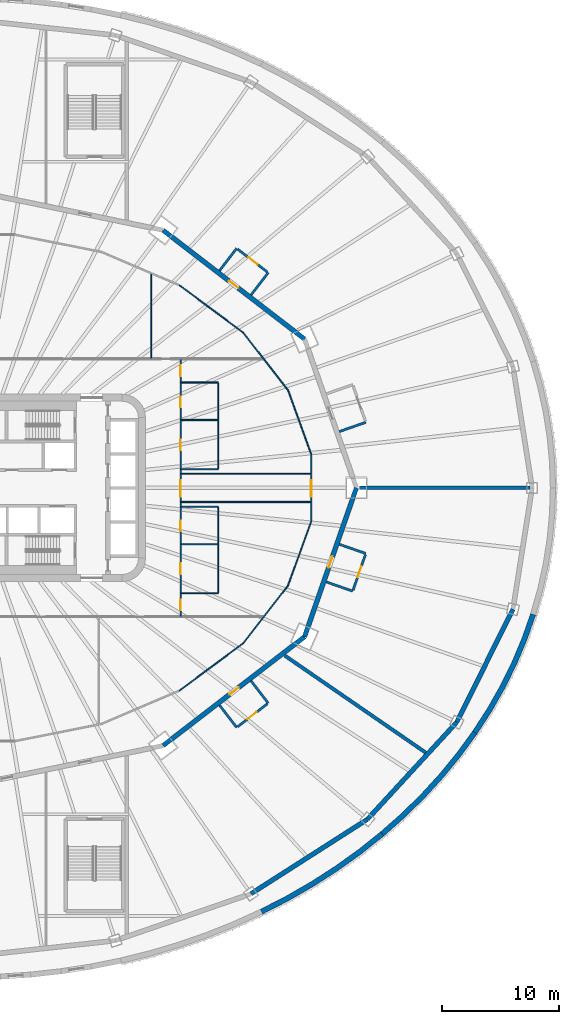
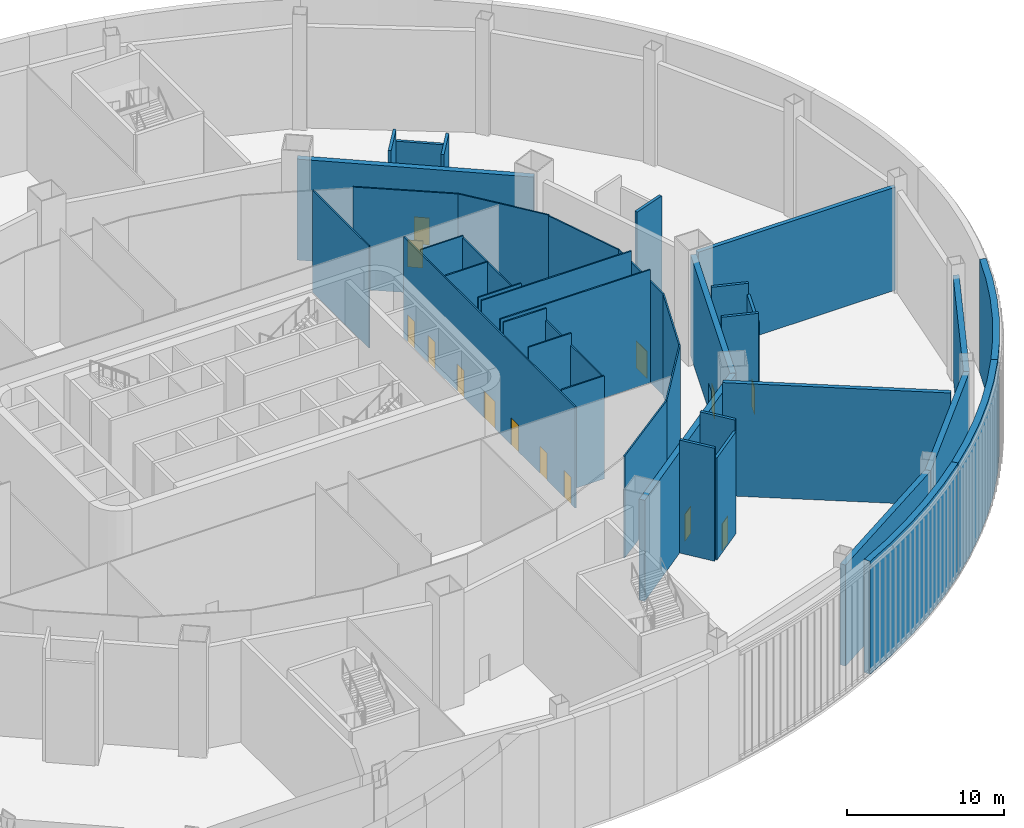
# One storey, part 11 of 35: 40 walls, 14 doors, 14 openings.
"""IFC4 building model written with IfcOpenShell, lengths in metres."""

from ifc_helpers import new_model, si_unit, direction, frame, frame_2d, origin, place, context, subcontext, project, spatial, polyline, rectangle, outline, extrude, material, layer, layer_set, type_object, element, fill, save


model = new_model("IFC4")

# Units and contexts
model_context = context("Model", 3, precision=1e-05, world=origin(), true_north=direction((0.0, 1.0)))
body_context = subcontext(model_context, "Body", "Model", "MODEL_VIEW")
ifc_project = project(units=[si_unit("LENGTHUNIT", "METRE"), si_unit("AREAUNIT", "SQUARE_METRE"), si_unit("VOLUMEUNIT", "CUBIC_METRE"), si_unit("PLANEANGLEUNIT", "RADIAN"), si_unit("MASSUNIT", "GRAM", prefix="KILO")], contexts=[model_context])

# Site, building, storey
site_placement = place(None, origin())
site = spatial("IfcSite", under=ifc_project, at=site_placement, CompositionType="ELEMENT")
building_placement = place(site_placement, origin())
building = spatial("IfcBuilding", under=site, at=building_placement, Name="Sahrelin Media Tower", CompositionType="ELEMENT")
storey_placement = place(building_placement, frame((0.0, 0.0, 17.0)))
storey = spatial("IfcBuildingStorey", under=building, at=storey_placement, Name="L02", CompositionType="ELEMENT", Elevation=17.0)

# Walls
ifc_material_1 = material(Name="Fire-rated gypsum board partition")
ifc_layer_1 = layer(ifc_material_1, 0.199951171875)
ifc_layer_set_1 = layer_set([ifc_layer_1], Name="Fire-rated partition 200")
wall_type_1 = type_object("IfcWallType", Name="Fire-rated partition 200", PredefinedType="PARTITIONING", material=ifc_layer_set_1)
for number, where, z_axis, x_axis, name in (
    (1, (24.008544921875, 16.47021484375, 0.0), (0.0, 0.0, 1.0), (0.609946706972, 0.792442436177, 0.0), "Wall"),
    (2, (21.314208984375, 18.5439453125, 0.0), (0.0, 0.0, 1.0), (0.609946706972, 0.792442436177, 0.0), "Wall"),
):
    element("IfcWall", number, at=place(storey_placement, frame(where, z_axis=z_axis, x_axis=x_axis)), inside=storey, type_object=wall_type_1, Name=name, PredefinedType="PARTITIONING", context=body_context, shape_type="SweptSolid", body=[
        extrude(rectangle(XDim=2.39990234375, YDim=0.199951171875, at=frame_2d((1.199951171875, 0.0))), origin(), (0.0, 0.0, 1.0), 8.800048828125),
    ])

# Wall, opening, door
wall_1_placement = place(storey_placement, frame((25.393310546875, 18.43310546875, 0.0), z_axis=(0.0, 0.0, 1.0), x_axis=(-0.792476481098, 0.609902473274, 0.0)))
wall_1 = element("IfcWall", 3, at=wall_1_placement, inside=storey, type_object=wall_type_1, Name="Wall", PredefinedType="PARTITIONING", context=body_context, shape_type="SweptSolid", body=[
    extrude(rectangle(XDim=3.199951171875, YDim=0.199951171875, at=frame_2d((1.60009765625, 0.0))), origin(), (0.0, 0.0, 1.0), 7.9453125),
])
opening_1_placement = place(wall_1_placement, frame((1.050048828125, 0.0, 0.0)))
opening_1 = element("IfcOpeningElement", 4, at=opening_1_placement, cuts=wall_1, Name="Opening L02-D55", PredefinedType="OPENING", context=body_context, shape_type="SweptSolid", body=[
    extrude(rectangle(XDim=1.0, YDim=2.10009765625, at=frame_2d((0.5, 1.050048828125))), frame((0.0, 0.10009765625, 0.0), z_axis=(0.0, -1.0, 0.0), x_axis=(1.0, 0.0, 0.0)), (0.0, 0.0, 1.0), 0.199951171875),
])
ifc_material_2 = material(Name="Steel fire door leaf", Category="steel")
door_type_1 = type_object("IfcDoorType", Name="Fire door 1000 x 2100 EI 60", OperationType="NOTDEFINED", PredefinedType="DOOR", material=ifc_material_2)
door_1_placement = place(opening_1_placement, origin())
door_1 = element("IfcDoor", 5, at=door_1_placement, inside=storey, type_object=door_type_1, Name="Fire door", OperationType="SINGLE_SWING_LEFT", OverallHeight=2.10009765625, OverallWidth=1.0, PredefinedType="DOOR", context=body_context, shape_type="SweptSolid", body=[
    extrude(rectangle(XDim=1.0, YDim=2.10009765625, at=frame_2d((0.5, 1.050048828125))), frame((0.0, 0.02490234375, 0.0), z_axis=(0.0, -1.0, 0.0), x_axis=(1.0, 0.0, 0.0)), (0.0, 0.0, 1.0), 0.050048828125),
])
fill(opening_1, door_1)

# Walls
for number, where, z_axis, x_axis, name in (
    (6, (31.537109375, 4.810302734375, 0.0), (0.0, 0.0, 1.0), (0.94440893349, 0.328773122904, 0.0), "Wall"),
    (7, (30.41943359375, -8.021240234375, 0.0), (0.0, 0.0, 1.0), (0.94440893349, -0.328773122904, 0.0), "Wall"),
    (8, (31.537109375, -4.810302734375, 0.0), (0.0, 0.0, 1.0), (0.94440893349, -0.328773122904, 0.0), "Wall"),
):
    element("IfcWall", number, at=place(storey_placement, frame(where, z_axis=z_axis, x_axis=x_axis)), inside=storey, type_object=wall_type_1, Name=name, PredefinedType="PARTITIONING", context=body_context, shape_type="SweptSolid", body=[
        extrude(rectangle(XDim=2.39990234375, YDim=0.199951171875, at=frame_2d((1.199951171875, 0.0))), origin(), (0.0, 0.0, 1.0), 8.800048828125),
    ])

# Wall, opening, door
wall_2_placement = place(storey_placement, frame((32.718994140625, -8.7158203125, 0.0), z_axis=(0.0, 0.0, 1.0), x_axis=(0.328742544754, 0.944419577978, 0.0)))
wall_2 = element("IfcWall", 9, at=wall_2_placement, inside=storey, type_object=wall_type_1, Name="Wall", PredefinedType="PARTITIONING", context=body_context, shape_type="SweptSolid", body=[
    extrude(rectangle(XDim=3.2001953125, YDim=0.199951171875, at=frame_2d((1.60009765625, 0.0))), origin(), (0.0, 0.0, 1.0), 7.9453125),
])
opening_2_placement = place(wall_2_placement, frame((1.14990234375, 0.0, 0.0)))
opening_2 = element("IfcOpeningElement", 10, at=opening_2_placement, cuts=wall_2, Name="Opening L02-D59", PredefinedType="OPENING", context=body_context, shape_type="SweptSolid", body=[
    extrude(rectangle(XDim=1.0, YDim=2.10009765625, at=frame_2d((0.5, 1.050048828125))), frame((0.0, 0.10009765625, 0.0), z_axis=(0.0, -1.0, 0.0), x_axis=(1.0, 0.0, 0.0)), (0.0, 0.0, 1.0), 0.199951171875),
])
door_2_placement = place(opening_2_placement, origin())
door_2 = element("IfcDoor", 11, at=door_2_placement, inside=storey, type_object=door_type_1, Name="Fire door", OperationType="SINGLE_SWING_RIGHT", OverallHeight=2.10009765625, OverallWidth=1.0, PredefinedType="DOOR", context=body_context, shape_type="SweptSolid", body=[
    extrude(rectangle(XDim=1.0, YDim=2.10009765625, at=frame_2d((0.5, 1.050048828125))), frame((0.0, 0.02490234375, 0.0), z_axis=(0.0, -1.0, 0.0), x_axis=(1.0, 0.0, 0.0)), (0.0, 0.0, 1.0), 0.050048828125),
])
fill(opening_2, door_2)

# Walls
for number, where, z_axis, x_axis, name in (
    (12, (21.314208984375, -18.5439453125, 0.0), (0.0, 0.0, 1.0), (0.609946706972, -0.792442436177, 0.0), "Wall"),
    (13, (24.008544921875, -16.47021484375, 0.0), (0.0, 0.0, 1.0), (0.609946706972, -0.792442436177, 0.0), "Wall"),
):
    element("IfcWall", number, at=place(storey_placement, frame(where, z_axis=z_axis, x_axis=x_axis)), inside=storey, type_object=wall_type_1, Name=name, PredefinedType="PARTITIONING", context=body_context, shape_type="SweptSolid", body=[
        extrude(rectangle(XDim=2.39990234375, YDim=0.199951171875, at=frame_2d((1.199951171875, 0.0))), origin(), (0.0, 0.0, 1.0), 8.800048828125),
    ])

# Wall, opening, door
wall_3_placement = place(storey_placement, frame((22.857421875, -20.384765625, 0.0), z_axis=(0.0, 0.0, 1.0), x_axis=(0.792476481098, 0.609902473274, 0.0)))
wall_3 = element("IfcWall", 14, at=wall_3_placement, inside=storey, type_object=wall_type_1, Name="Wall", PredefinedType="PARTITIONING", context=body_context, shape_type="SweptSolid", body=[
    extrude(rectangle(XDim=3.199951171875, YDim=0.199951171875, at=frame_2d((1.60009765625, 0.0))), origin(), (0.0, 0.0, 1.0), 7.9453125),
])
opening_3_placement = place(wall_3_placement, frame((1.050048828125, 0.0, 0.0)))
opening_3 = element("IfcOpeningElement", 15, at=opening_3_placement, cuts=wall_3, Name="Opening L02-D61", PredefinedType="OPENING", context=body_context, shape_type="SweptSolid", body=[
    extrude(rectangle(XDim=1.0, YDim=2.10009765625, at=frame_2d((0.5, 1.050048828125))), frame((0.0, 0.10009765625, 0.0), z_axis=(0.0, -1.0, 0.0), x_axis=(1.0, 0.0, 0.0)), (0.0, 0.0, 1.0), 0.199951171875),
])
door_3_placement = place(opening_3_placement, origin())
door_3 = element("IfcDoor", 16, at=door_3_placement, inside=storey, type_object=door_type_1, Name="Fire door", OperationType="SINGLE_SWING_LEFT", OverallHeight=2.10009765625, OverallWidth=1.0, PredefinedType="DOOR", context=body_context, shape_type="SweptSolid", body=[
    extrude(rectangle(XDim=1.0, YDim=2.10009765625, at=frame_2d((0.5, 1.050048828125))), frame((0.0, 0.02490234375, 0.0), z_axis=(0.0, -1.0, 0.0), x_axis=(1.0, 0.0, 0.0)), (0.0, 0.0, 1.0), 0.050048828125),
])
fill(opening_3, door_3)

# Walls
ifc_layer_2 = layer(ifc_material_1, 0.300048828125)
ifc_layer_set_2 = layer_set([ifc_layer_2], Name="Fire-rated partition 300")
wall_type_2 = type_object("IfcWallType", Name="Fire-rated partition 300", PredefinedType="PARTITIONING", material=ifc_layer_set_2)
wall_4_placement = place(storey_placement, frame((33.263916015625, 0.0, 0.0), z_axis=(0.0, 0.0, 1.0), x_axis=(1.0, 0.0, 0.0)))
element("IfcWall", 17, at=wall_4_placement, inside=storey, type_object=wall_type_2, Name="Wall", PredefinedType="PARTITIONING", context=body_context, shape_type="SweptSolid", body=[
    extrude(rectangle(XDim=14.53369140625, YDim=0.300048828125, at=frame_2d((7.266845703125, 0.0))), origin(), (0.0, 0.0, 1.0), 8.02587890625),
])
wall_5_placement = place(storey_placement, frame((26.887939453125, -14.31201171875, 0.0), z_axis=(0.0, 0.0, 1.0), x_axis=(0.823646474485, -0.567103592889, 0.0)))
element("IfcWall", 18, at=wall_5_placement, inside=storey, type_object=wall_type_2, Name="Wall", PredefinedType="PARTITIONING", context=body_context, shape_type="SweptSolid", body=[
    extrude(rectangle(XDim=14.598388671875, YDim=0.300048828125, at=frame_2d((7.29931640625, 0.0))), origin(), (0.0, 0.0, 1.0), 8.800048828125),
])
ifc_layer_3 = layer(ifc_material_1, 0.39990234375)
ifc_layer_set_3 = layer_set([ifc_layer_3], Name="Fire-rated partition 400")
wall_type_3 = type_object("IfcWallType", Name="Fire-rated partition 400", PredefinedType="PARTITIONING", material=ifc_layer_set_3)
wall_6_placement = place(storey_placement, frame((24.0, -34.64111328125, 0.0), z_axis=(0.0, 0.0, 1.0), x_axis=(0.842479506869, 0.538728392147, 0.0)))
element("IfcWall", 19, at=wall_6_placement, inside=storey, type_object=wall_type_3, Name="Wall", PredefinedType="PARTITIONING", context=body_context, shape_type="SweptSolid", body=[
    extrude(rectangle(XDim=11.7998046875, YDim=0.39990234375, at=frame_2d((5.89990234375, 0.0))), origin(), (0.0, 0.0, 1.0), 7.876953125),
])
wall_7_placement = place(storey_placement, frame((33.941162109375, -28.2841796875, 0.0), z_axis=(0.0, 0.0, 1.0), x_axis=(0.67736833065, 0.735644033914, 0.0)))
element("IfcWall", 20, at=wall_7_placement, inside=storey, type_object=wall_type_3, Name="Wall", PredefinedType="PARTITIONING", context=body_context, shape_type="SweptSolid", body=[
    extrude(rectangle(XDim=11.26123046875, YDim=0.39990234375, at=frame_2d((5.630615234375, 0.0))), origin(), (0.0, 0.0, 1.0), 7.876953125),
])
wall_8_placement = place(storey_placement, frame((41.569091796875, -20.0, 0.0), z_axis=(0.0, 0.0, 1.0), x_axis=(0.445118441463, 0.895471704226, 0.0)))
element("IfcWall", 21, at=wall_8_placement, inside=storey, type_object=wall_type_3, Name="Wall", PredefinedType="PARTITIONING", context=body_context, shape_type="SweptSolid", body=[
    extrude(rectangle(XDim=10.7734375, YDim=0.39990234375, at=frame_2d((5.38671875, 0.0))), origin(), (0.0, 0.0, 1.0), 7.876953125),
])

# Wall, opening, door
wall_9_placement = place(storey_placement, frame((28.578857421875, 12.699951171875, 0.0), z_axis=(0.0, 0.0, 1.0), x_axis=(-0.792443539308, 0.609945273782, 0.0)))
wall_9 = element("IfcWall", 22, at=wall_9_placement, inside=storey, type_object=wall_type_3, Name="Wall", PredefinedType="PARTITIONING", context=body_context, shape_type="SweptSolid", body=[
    extrude(rectangle(XDim=15.242431640625, YDim=0.39990234375, at=frame_2d((7.62109375, 0.0))), origin(), (0.0, 0.0, 1.0), 7.8681640625),
])
opening_4_placement = place(wall_9_placement, frame((7.14990234375, 0.0, 0.0)))
opening_4 = element("IfcOpeningElement", 23, at=opening_4_placement, cuts=wall_9, Name="Opening L02-D54", PredefinedType="OPENING", context=body_context, shape_type="SweptSolid", body=[
    extrude(rectangle(XDim=1.0, YDim=2.10009765625, at=frame_2d((0.5, 1.050048828125))), frame((0.0, 0.199951171875, 0.0), z_axis=(0.0, -1.0, 0.0), x_axis=(1.0, 0.0, 0.0)), (0.0, 0.0, 1.0), 0.39990234375),
])
door_4_placement = place(opening_4_placement, origin())
door_4 = element("IfcDoor", 24, at=door_4_placement, inside=storey, type_object=door_type_1, Name="Fire door", OperationType="SINGLE_SWING_RIGHT", OverallHeight=2.10009765625, OverallWidth=1.0, PredefinedType="DOOR", context=body_context, shape_type="SweptSolid", body=[
    extrude(rectangle(XDim=1.0, YDim=2.10009765625, at=frame_2d((0.5, 1.050048828125))), frame((0.0, 0.02490234375, 0.0), z_axis=(0.0, -1.0, 0.0), x_axis=(1.0, 0.0, 0.0)), (0.0, 0.0, 1.0), 0.050048828125),
])
fill(opening_4, door_4)

wall_10_placement = place(storey_placement, frame((16.5, -21.9970703125, 0.0), z_axis=(0.0, 0.0, 1.0), x_axis=(0.792443539308, 0.609945273782, 0.0)))
wall_10 = element("IfcWall", 25, at=wall_10_placement, inside=storey, type_object=wall_type_3, Name="Wall", PredefinedType="PARTITIONING", context=body_context, shape_type="SweptSolid", body=[
    extrude(rectangle(XDim=15.242431640625, YDim=0.39990234375, at=frame_2d((7.62109375, 0.0))), origin(), (0.0, 0.0, 1.0), 7.8681640625),
])
opening_5_placement = place(wall_10_placement, frame((7.14990234375, 0.0, 0.0)))
opening_5 = element("IfcOpeningElement", 26, at=opening_5_placement, cuts=wall_10, Name="Opening L02-D60", PredefinedType="OPENING", context=body_context, shape_type="SweptSolid", body=[
    extrude(rectangle(XDim=1.0, YDim=2.10009765625, at=frame_2d((0.5, 1.050048828125))), frame((0.0, 0.199951171875, 0.0), z_axis=(0.0, -1.0, 0.0), x_axis=(1.0, 0.0, 0.0)), (0.0, 0.0, 1.0), 0.39990234375),
])
door_5_placement = place(opening_5_placement, origin())
door_5 = element("IfcDoor", 27, at=door_5_placement, inside=storey, type_object=door_type_1, Name="Fire door", OperationType="SINGLE_SWING_RIGHT", OverallHeight=2.10009765625, OverallWidth=1.0, PredefinedType="DOOR", context=body_context, shape_type="SweptSolid", body=[
    extrude(rectangle(XDim=1.0, YDim=2.10009765625, at=frame_2d((0.5, 1.050048828125))), frame((0.0, 0.02490234375, 0.0), z_axis=(0.0, -1.0, 0.0), x_axis=(1.0, 0.0, 0.0)), (0.0, 0.0, 1.0), 0.050048828125),
])
fill(opening_5, door_5)

wall_11_placement = place(storey_placement, frame((28.578857421875, -12.699951171875, 0.0), z_axis=(0.0, 0.0, 1.0), x_axis=(0.328770590399, 0.944409815117, 0.0)))
wall_11 = element("IfcWall", 28, at=wall_11_placement, inside=storey, type_object=wall_type_3, Name="Wall", PredefinedType="PARTITIONING", context=body_context, shape_type="SweptSolid", body=[
    extrude(rectangle(XDim=13.447509765625, YDim=0.39990234375, at=frame_2d((6.7236328125, 0.0))), origin(), (0.0, 0.0, 1.0), 7.8681640625),
])
opening_6_placement = place(wall_11_placement, frame((6.25, 0.0, 0.0)))
opening_6 = element("IfcOpeningElement", 29, at=opening_6_placement, cuts=wall_11, Name="Opening L02-D58", PredefinedType="OPENING", context=body_context, shape_type="SweptSolid", body=[
    extrude(rectangle(XDim=1.0, YDim=2.10009765625, at=frame_2d((0.5, 1.050048828125))), frame((0.0, 0.199951171875, 0.0), z_axis=(0.0, -1.0, 0.0), x_axis=(1.0, 0.0, 0.0)), (0.0, 0.0, 1.0), 0.39990234375),
])
door_6_placement = place(opening_6_placement, origin())
door_6 = element("IfcDoor", 30, at=door_6_placement, inside=storey, type_object=door_type_1, Name="Fire door", OperationType="SINGLE_SWING_RIGHT", OverallHeight=2.10009765625, OverallWidth=1.0, PredefinedType="DOOR", context=body_context, shape_type="SweptSolid", body=[
    extrude(rectangle(XDim=1.0, YDim=2.10009765625, at=frame_2d((0.5, 1.050048828125))), frame((0.0, 0.02490234375, 0.0), z_axis=(0.0, -1.0, 0.0), x_axis=(1.0, 0.0, 0.0)), (0.0, 0.0, 1.0), 0.050048828125),
])
fill(opening_6, door_6)

# Walls
ifc_material_3 = material(Name="Gypsum board partition")
ifc_layer_4 = layer(ifc_material_3, 0.10009765625)
ifc_layer_set_4 = layer_set([ifc_layer_4], Name="Partition 100")
wall_type_4 = type_object("IfcWallType", Name="Partition 100", PredefinedType="PARTITIONING", material=ifc_layer_set_4)
wall_12_placement = place(storey_placement, frame((29.1484375, 2.845458984375, 0.0), z_axis=(0.0, 0.0, 1.0), x_axis=(-0.339837423604, 0.940484197378, 0.0)))
element("IfcWall", 31, at=wall_12_placement, inside=storey, type_object=wall_type_4, Name="Wall", PredefinedType="PARTITIONING", context=body_context, shape_type="SweptSolid", body=[
    extrude(rectangle(XDim=5.844970703125, YDim=0.10009765625, at=frame_2d((2.92236328125, 0.0))), origin(), (0.0, 0.0, 1.0), 7.876953125),
])
wall_13_placement = place(storey_placement, frame((27.162109375, 8.342529296875, 0.0), z_axis=(0.0, 0.0, 1.0), x_axis=(-0.614354540541, 0.78903009988, 0.0)))
element("IfcWall", 32, at=wall_13_placement, inside=storey, type_object=wall_type_4, Name="Wall", PredefinedType="PARTITIONING", context=body_context, shape_type="SweptSolid", body=[
    extrude(rectangle(XDim=6.246337890625, YDim=0.10009765625, at=frame_2d((3.123046875, 0.0))), origin(), (0.0, 0.0, 1.0), 7.9453125),
])
for number, where, z_axis, x_axis, name in (
    (33, (23.32470703125, 13.27099609375, 0.0), (0.0, 0.0, 1.0), (-0.803261991148, 0.595625867115, 0.0), "Wall"),
    (34, (17.897705078125, -17.295166015625, 0.0), (0.0, 0.0, 1.0), (0.803261991148, 0.595625867115, 0.0), "Wall"),
):
    element("IfcWall", number, at=place(storey_placement, frame(where, z_axis=z_axis, x_axis=x_axis)), inside=storey, type_object=wall_type_4, Name=name, PredefinedType="PARTITIONING", context=body_context, shape_type="SweptSolid", body=[
        extrude(rectangle(XDim=6.756103515625, YDim=0.10009765625, at=frame_2d((3.3779296875, 0.0))), origin(), (0.0, 0.0, 1.0), 7.9453125),
    ])
wall_14_placement = place(storey_placement, frame((23.32470703125, -13.27099609375, 0.0), z_axis=(0.0, 0.0, 1.0), x_axis=(0.614354540541, 0.78903009988, 0.0)))
element("IfcWall", 35, at=wall_14_placement, inside=storey, type_object=wall_type_4, Name="Wall", PredefinedType="PARTITIONING", context=body_context, shape_type="SweptSolid", body=[
    extrude(rectangle(XDim=6.246337890625, YDim=0.10009765625, at=frame_2d((3.123046875, 0.0))), origin(), (0.0, 0.0, 1.0), 7.9453125),
])
wall_15_placement = place(storey_placement, frame((27.162109375, -8.342529296875, 0.0), z_axis=(0.0, 0.0, 1.0), x_axis=(0.339837423604, 0.940484197378, 0.0)))
element("IfcWall", 36, at=wall_15_placement, inside=storey, type_object=wall_type_4, Name="Wall", PredefinedType="PARTITIONING", context=body_context, shape_type="SweptSolid", body=[
    extrude(rectangle(XDim=5.844970703125, YDim=0.10009765625, at=frame_2d((2.92236328125, 0.0))), origin(), (0.0, 0.0, 1.0), 7.876953125),
])

# Wall, opening, door
wall_16_placement = place(storey_placement, frame((29.1484375, -2.845458984375, 0.0), z_axis=(0.0, 0.0, 1.0), x_axis=(0.0, 1.0, 0.0)))
wall_16 = element("IfcWall", 37, at=wall_16_placement, inside=storey, type_object=wall_type_4, Name="Wall", PredefinedType="PARTITIONING", context=body_context, shape_type="SweptSolid", body=[
    extrude(rectangle(XDim=5.69091796875, YDim=0.10009765625, at=frame_2d((2.845458984375, 0.0))), origin(), (0.0, 0.0, 1.0), 7.876953125),
])
opening_7_placement = place(wall_16_placement, frame((2.10009765625, 0.0, 0.0)))
opening_7 = element("IfcOpeningElement", 38, at=opening_7_placement, cuts=wall_16, Name="Opening L02-D48", PredefinedType="OPENING", context=body_context, shape_type="SweptSolid", body=[
    extrude(rectangle(XDim=1.39990234375, YDim=2.10009765625, at=frame_2d((0.699951171875, 1.050048828125))), frame((0.0, 0.050048828125, 0.0), z_axis=(0.0, -1.0, 0.0), x_axis=(1.0, 0.0, 0.0)), (0.0, 0.0, 1.0), 0.10009765625),
])
ifc_material_4 = material(Name="Timber door leaf", Category="wood")
door_type_2 = type_object("IfcDoorType", Name="Single door 1400 x 2100", OperationType="NOTDEFINED", PredefinedType="DOOR", material=ifc_material_4)
door_7_placement = place(opening_7_placement, origin())
door_7 = element("IfcDoor", 39, at=door_7_placement, inside=storey, type_object=door_type_2, Name="Single door", OperationType="SINGLE_SWING_LEFT", OverallHeight=2.10009765625, OverallWidth=1.39990234375, PredefinedType="DOOR", context=body_context, shape_type="SweptSolid", body=[
    extrude(rectangle(XDim=1.39990234375, YDim=2.10009765625, at=frame_2d((0.699951171875, 1.050048828125))), frame((0.0, 0.02490234375, 0.0), z_axis=(0.0, -1.0, 0.0), x_axis=(1.0, 0.0, 0.0)), (0.0, 0.0, 1.0), 0.050048828125),
])
fill(opening_7, door_7)

# Wall, openings, doors
wall_17_placement = place(storey_placement, frame((18.0, -10.949951171875, 0.0), z_axis=(0.0, 0.0, 1.0), x_axis=(0.0, 1.0, 0.0)))
wall_17 = element("IfcWall", 40, at=wall_17_placement, inside=storey, type_object=wall_type_4, Name="Wall", PredefinedType="PARTITIONING", context=body_context, shape_type="SweptSolid", body=[
    extrude(rectangle(XDim=21.89990234375, YDim=0.10009765625, at=frame_2d((10.949951171875, 0.0))), origin(), (0.0, 0.0, 1.0), 7.876953125),
])
opening_8_placement = place(wall_17_placement, frame((14.14990234375, 0.0, 0.0)))
opening_8 = element("IfcOpeningElement", 41, at=opening_8_placement, cuts=wall_17, Name="Opening L02-D20", PredefinedType="OPENING", context=body_context, shape_type="SweptSolid", body=[
    extrude(rectangle(XDim=0.89990234375, YDim=2.10009765625, at=frame_2d((0.449951171875, 1.050048828125))), frame((0.0, 0.050048828125, 0.0), z_axis=(0.0, -1.0, 0.0), x_axis=(1.0, 0.0, 0.0)), (0.0, 0.0, 1.0), 0.10009765625),
])
opening_9_placement = place(wall_17_placement, frame((17.85009765625, 0.0, 0.0)))
opening_9 = element("IfcOpeningElement", 42, at=opening_9_placement, cuts=wall_17, Name="Opening L02-D21", PredefinedType="OPENING", context=body_context, shape_type="SweptSolid", body=[
    extrude(rectangle(XDim=0.89990234375, YDim=2.10009765625, at=frame_2d((0.449951171875, 1.050048828125))), frame((0.0, 0.050048828125, 0.0), z_axis=(0.0, -1.0, 0.0), x_axis=(1.0, 0.0, 0.0)), (0.0, 0.0, 1.0), 0.10009765625),
])
opening_10_placement = place(wall_17_placement, frame((3.60009765625, 0.0, 0.0)))
opening_10 = element("IfcOpeningElement", 43, at=opening_10_placement, cuts=wall_17, Name="Opening L02-D22", PredefinedType="OPENING", context=body_context, shape_type="SweptSolid", body=[
    extrude(rectangle(XDim=0.89990234375, YDim=2.10009765625, at=frame_2d((0.449951171875, 1.050048828125))), frame((0.0, 0.050048828125, 0.0), z_axis=(0.0, -1.0, 0.0), x_axis=(1.0, 0.0, 0.0)), (0.0, 0.0, 1.0), 0.10009765625),
])
opening_11_placement = place(wall_17_placement, frame((7.25, 0.0, 0.0)))
opening_11 = element("IfcOpeningElement", 44, at=opening_11_placement, cuts=wall_17, Name="Opening L02-D23", PredefinedType="OPENING", context=body_context, shape_type="SweptSolid", body=[
    extrude(rectangle(XDim=0.89990234375, YDim=2.10009765625, at=frame_2d((0.449951171875, 1.050048828125))), frame((0.0, 0.050048828125, 0.0), z_axis=(0.0, -1.0, 0.0), x_axis=(1.0, 0.0, 0.0)), (0.0, 0.0, 1.0), 0.10009765625),
])
opening_12_placement = place(wall_17_placement, frame((0.5, 0.0, 0.0)))
opening_12 = element("IfcOpeningElement", 45, at=opening_12_placement, cuts=wall_17, Name="Opening L02-D46", PredefinedType="OPENING", context=body_context, shape_type="SweptSolid", body=[
    extrude(rectangle(XDim=0.89990234375, YDim=2.10009765625, at=frame_2d((0.449951171875, 1.050048828125))), frame((0.0, 0.050048828125, 0.0), z_axis=(0.0, -1.0, 0.0), x_axis=(1.0, 0.0, 0.0)), (0.0, 0.0, 1.0), 0.10009765625),
])
opening_13_placement = place(wall_17_placement, frame((10.199951171875, 0.0, 0.0)))
opening_13 = element("IfcOpeningElement", 46, at=opening_13_placement, cuts=wall_17, Name="Opening L02-D47", PredefinedType="OPENING", context=body_context, shape_type="SweptSolid", body=[
    extrude(rectangle(XDim=1.39990234375, YDim=2.10009765625, at=frame_2d((0.699951171875, 1.050048828125))), frame((0.0, 0.050048828125, 0.0), z_axis=(0.0, -1.0, 0.0), x_axis=(1.0, 0.0, 0.0)), (0.0, 0.0, 1.0), 0.10009765625),
])
opening_14_placement = place(wall_17_placement, frame((20.5, 0.0, 0.0)))
opening_14 = element("IfcOpeningElement", 47, at=opening_14_placement, cuts=wall_17, Name="Opening L02-D49", PredefinedType="OPENING", context=body_context, shape_type="SweptSolid", body=[
    extrude(rectangle(XDim=0.89990234375, YDim=2.10009765625, at=frame_2d((0.449951171875, 1.050048828125))), frame((0.0, 0.050048828125, 0.0), z_axis=(0.0, -1.0, 0.0), x_axis=(1.0, 0.0, 0.0)), (0.0, 0.0, 1.0), 0.10009765625),
])
door_8_placement = place(opening_13_placement, origin())
door_8 = element("IfcDoor", 48, at=door_8_placement, inside=storey, type_object=door_type_2, Name="Single door", OperationType="SINGLE_SWING_LEFT", OverallHeight=2.10009765625, OverallWidth=1.39990234375, PredefinedType="DOOR", context=body_context, shape_type="SweptSolid", body=[
    extrude(rectangle(XDim=1.39990234375, YDim=2.10009765625, at=frame_2d((0.699951171875, 1.050048828125))), frame((0.0, 0.02490234375, 0.0), z_axis=(0.0, -1.0, 0.0), x_axis=(1.0, 0.0, 0.0)), (0.0, 0.0, 1.0), 0.050048828125),
])
fill(opening_13, door_8)
door_type_3 = type_object("IfcDoorType", Name="Single door 900 x 2100", OperationType="NOTDEFINED", PredefinedType="DOOR", material=ifc_material_4)
door_9_placement = place(opening_8_placement, origin())
door_9 = element("IfcDoor", 49, at=door_9_placement, inside=storey, type_object=door_type_3, Name="Single door", OperationType="SINGLE_SWING_RIGHT", OverallHeight=2.10009765625, OverallWidth=0.89990234375, PredefinedType="DOOR", context=body_context, shape_type="SweptSolid", body=[
    extrude(rectangle(XDim=0.89990234375, YDim=2.10009765625, at=frame_2d((0.449951171875, 1.050048828125))), frame((0.0, 0.02490234375, 0.0), z_axis=(0.0, -1.0, 0.0), x_axis=(1.0, 0.0, 0.0)), (0.0, 0.0, 1.0), 0.050048828125),
])
fill(opening_8, door_9)
door_10_placement = place(opening_9_placement, origin())
door_10 = element("IfcDoor", 50, at=door_10_placement, inside=storey, type_object=door_type_3, Name="Single door", OperationType="SINGLE_SWING_RIGHT", OverallHeight=2.10009765625, OverallWidth=0.89990234375, PredefinedType="DOOR", context=body_context, shape_type="SweptSolid", body=[
    extrude(rectangle(XDim=0.89990234375, YDim=2.10009765625, at=frame_2d((0.449951171875, 1.050048828125))), frame((0.0, 0.02490234375, 0.0), z_axis=(0.0, -1.0, 0.0), x_axis=(1.0, 0.0, 0.0)), (0.0, 0.0, 1.0), 0.050048828125),
])
fill(opening_9, door_10)
door_11_placement = place(opening_10_placement, origin())
door_11 = element("IfcDoor", 51, at=door_11_placement, inside=storey, type_object=door_type_3, Name="Single door", OperationType="SINGLE_SWING_LEFT", OverallHeight=2.10009765625, OverallWidth=0.89990234375, PredefinedType="DOOR", context=body_context, shape_type="SweptSolid", body=[
    extrude(rectangle(XDim=0.89990234375, YDim=2.10009765625, at=frame_2d((0.449951171875, 1.050048828125))), frame((0.0, 0.02490234375, 0.0), z_axis=(0.0, -1.0, 0.0), x_axis=(1.0, 0.0, 0.0)), (0.0, 0.0, 1.0), 0.050048828125),
])
fill(opening_10, door_11)
door_12_placement = place(opening_11_placement, origin())
door_12 = element("IfcDoor", 52, at=door_12_placement, inside=storey, type_object=door_type_3, Name="Single door", OperationType="SINGLE_SWING_LEFT", OverallHeight=2.10009765625, OverallWidth=0.89990234375, PredefinedType="DOOR", context=body_context, shape_type="SweptSolid", body=[
    extrude(rectangle(XDim=0.89990234375, YDim=2.10009765625, at=frame_2d((0.449951171875, 1.050048828125))), frame((0.0, 0.02490234375, 0.0), z_axis=(0.0, -1.0, 0.0), x_axis=(1.0, 0.0, 0.0)), (0.0, 0.0, 1.0), 0.050048828125),
])
fill(opening_11, door_12)
door_13_placement = place(opening_12_placement, origin())
door_13 = element("IfcDoor", 53, at=door_13_placement, inside=storey, type_object=door_type_3, Name="Single door", OperationType="SINGLE_SWING_LEFT", OverallHeight=2.10009765625, OverallWidth=0.89990234375, PredefinedType="DOOR", context=body_context, shape_type="SweptSolid", body=[
    extrude(rectangle(XDim=0.89990234375, YDim=2.10009765625, at=frame_2d((0.449951171875, 1.050048828125))), frame((0.0, 0.02490234375, 0.0), z_axis=(0.0, -1.0, 0.0), x_axis=(1.0, 0.0, 0.0)), (0.0, 0.0, 1.0), 0.050048828125),
])
fill(opening_12, door_13)
door_14_placement = place(opening_14_placement, origin())
door_14 = element("IfcDoor", 54, at=door_14_placement, inside=storey, type_object=door_type_3, Name="Single door", OperationType="SINGLE_SWING_RIGHT", OverallHeight=2.10009765625, OverallWidth=0.89990234375, PredefinedType="DOOR", context=body_context, shape_type="SweptSolid", body=[
    extrude(rectangle(XDim=0.89990234375, YDim=2.10009765625, at=frame_2d((0.449951171875, 1.050048828125))), frame((0.0, 0.02490234375, 0.0), z_axis=(0.0, -1.0, 0.0), x_axis=(1.0, 0.0, 0.0)), (0.0, 0.0, 1.0), 0.050048828125),
])
fill(opening_14, door_14)

# Walls
wall_18_placement = place(storey_placement, frame((15.5, 11.050048828125, 0.0), z_axis=(0.0, 0.0, 1.0), x_axis=(0.0, 1.0, 0.0)))
element("IfcWall", 55, at=wall_18_placement, inside=storey, type_object=wall_type_4, Name="Wall", PredefinedType="PARTITIONING", context=body_context, shape_type="SweptSolid", body=[
    extrude(rectangle(XDim=7.195556640625, YDim=0.10009765625, at=frame_2d((3.59765625, 0.0))), origin(), (0.0, 0.0, 1.0), 7.9453125),
])
for number, where, z_axis, x_axis, name in (
    (56, (18.050048828125, -1.199951171875, 0.0), (0.0, 0.0, 1.0), (1.0, 0.0, 0.0), "Wall"),
    (57, (18.050048828125, 1.199951171875, 0.0), (0.0, 0.0, 1.0), (1.0, 0.0, 0.0), "Wall"),
):
    element("IfcWall", number, at=place(storey_placement, frame(where, z_axis=z_axis, x_axis=x_axis)), inside=storey, type_object=wall_type_4, Name=name, PredefinedType="PARTITIONING", context=body_context, shape_type="SweptSolid", body=[
        extrude(rectangle(XDim=11.04833984375, YDim=0.10009765625, at=frame_2d((5.524169921875, 0.0))), origin(), (0.0, 0.0, 1.0), 8.800048828125),
    ])
wall_19_placement = place(storey_placement, frame((18.050048828125, 1.60009765625, 0.0), z_axis=(0.0, 0.0, 1.0), x_axis=(1.0, 0.0, 0.0)))
element("IfcWall", 58, at=wall_19_placement, inside=storey, type_object=wall_type_4, Name="Wall", PredefinedType="PARTITIONING", context=body_context, shape_type="SweptSolid", body=[
    extrude(rectangle(XDim=3.14990234375, YDim=0.10009765625, at=frame_2d((1.574951171875, 0.0))), origin(), (0.0, 0.0, 1.0), 8.800048828125),
])
wall_20_placement = place(storey_placement, frame((18.050048828125, 5.800048828125, 0.0), z_axis=(0.0, 0.0, 1.0), x_axis=(1.0, 0.0, 0.0)))
element("IfcWall", 59, at=wall_20_placement, inside=storey, type_object=wall_type_4, Name="Wall", PredefinedType="PARTITIONING", context=body_context, shape_type="SweptSolid", body=[
    extrude(rectangle(XDim=3.14990234375, YDim=0.10009765625, at=frame_2d((1.574951171875, 0.0))), origin(), (0.0, 0.0, 1.0), 7.9453125),
])
for number, where, z_axis, x_axis, name in (
    (60, (18.050048828125, 9.0, 0.0), (0.0, 0.0, 1.0), (1.0, 0.0, 0.0), "Wall"),
    (61, (18.050048828125, -9.0, 0.0), (0.0, 0.0, 1.0), (1.0, 0.0, 0.0), "Wall"),
):
    element("IfcWall", number, at=place(storey_placement, frame(where, z_axis=z_axis, x_axis=x_axis)), inside=storey, type_object=wall_type_4, Name=name, PredefinedType="PARTITIONING", context=body_context, shape_type="SweptSolid", body=[
        extrude(rectangle(XDim=3.14990234375, YDim=0.10009765625, at=frame_2d((1.574951171875, 0.0))), origin(), (0.0, 0.0, 1.0), 8.02587890625),
    ])
for number, where, z_axis, x_axis, name in (
    (62, (18.050048828125, -4.800048828125, 0.0), (0.0, 0.0, 1.0), (1.0, 0.0, 0.0), "Wall"),
    (63, (18.050048828125, -1.60009765625, 0.0), (0.0, 0.0, 1.0), (1.0, 0.0, 0.0), "Wall"),
):
    element("IfcWall", number, at=place(storey_placement, frame(where, z_axis=z_axis, x_axis=x_axis)), inside=storey, type_object=wall_type_4, Name=name, PredefinedType="PARTITIONING", context=body_context, shape_type="SweptSolid", body=[
        extrude(rectangle(XDim=3.14990234375, YDim=0.10009765625, at=frame_2d((1.574951171875, 0.0))), origin(), (0.0, 0.0, 1.0), 8.800048828125),
    ])
for number, where, z_axis, x_axis, name in (
    (64, (21.199951171875, 1.64990234375, 0.0), (0.0, 0.0, 1.0), (0.0, 1.0, 0.0), "Wall"),
    (65, (21.199951171875, -8.949951171875, 0.0), (0.0, 0.0, 1.0), (0.0, 1.0, 0.0), "Wall"),
):
    element("IfcWall", number, at=place(storey_placement, frame(where, z_axis=z_axis, x_axis=x_axis)), inside=storey, type_object=wall_type_4, Name=name, PredefinedType="PARTITIONING", context=body_context, shape_type="SweptSolid", body=[
        extrude(rectangle(XDim=7.300048828125, YDim=0.10009765625, at=frame_2d((3.64990234375, 0.0))), origin(), (0.0, 0.0, 1.0), 7.876953125),
    ])
ifc_material_5 = material(Name="Concrete C40/50", Category="concrete")
ifc_layer_5 = layer(ifc_material_5, 0.449951171875)
ifc_layer_set_5 = layer_set([ifc_layer_5], Name="Studio facade wall")
wall_type_5 = type_object("IfcWallType", Name="Studio facade wall", PredefinedType="SOLIDWALL", material=ifc_layer_set_5)
placement = place(storey_placement, origin())
element("IfcWall", 66, at=placement, inside=storey, type_object=wall_type_5, Name="Studio facade wall L02-P20", PredefinedType="SOLIDWALL", context=body_context, shape_type="SweptSolid", body=[
    extrude(outline(polyline([(25.0, -36.373046875), (27.23193359375, -35.22412109375), (29.389404296875, -33.978759765625), (31.466064453125, -32.64013671875), (33.45654296875, -31.212158203125), (35.355224609375, -29.698486328125), (35.06591796875, -29.35400390625), (33.18505859375, -30.853271484375), (31.212890625, -32.26806640625), (29.15478515625, -33.594482421875), (27.0166015625, -34.8291015625), (24.8037109375, -35.96826171875), (25.0, -36.373046875)])), origin(), (0.0, 0.0, 1.0), 8.800048828125),
])
element("IfcWall", 67, at=placement, inside=storey, type_object=wall_type_5, Name="Studio facade wall L02-P21", PredefinedType="SOLIDWALL", context=body_context, shape_type="SweptSolid", body=[
    extrude(outline(polyline([(35.355224609375, -29.698486328125), (37.1572265625, -28.103515625), (38.857421875, -26.431396484375), (40.45068359375, -24.68701171875), (41.93359375, -22.874755859375), (43.30126953125, -21.0), (42.930419921875, -20.7451171875), (41.577392578125, -22.599609375), (40.1103515625, -24.392578125), (38.533203125, -26.119140625), (36.85009765625, -27.7744140625), (35.06591796875, -29.35400390625), (35.355224609375, -29.698486328125)])), origin(), (0.0, 0.0, 1.0), 8.800048828125),
])
element("IfcWall", 68, at=placement, inside=storey, type_object=wall_type_5, Name="Studio facade wall L02-P22", PredefinedType="SOLIDWALL", context=body_context, shape_type="SweptSolid", body=[
    extrude(outline(polyline([(43.30126953125, -21.0), (44.55029296875, -19.067626953125), (45.67724609375, -17.0830078125), (46.678955078125, -15.051513671875), (47.552734375, -12.978759765625), (48.29638671875, -10.870361328125), (47.86767578125, -10.733642578125), (47.133056640625, -12.81640625), (46.269775390625, -14.864501953125), (45.27978515625, -16.872314453125), (44.16552734375, -18.834228515625), (42.930419921875, -20.7451171875), (43.30126953125, -21.0)])), origin(), (0.0, 0.0, 1.0), 8.800048828125),
])

save(model, "model.ifc")
